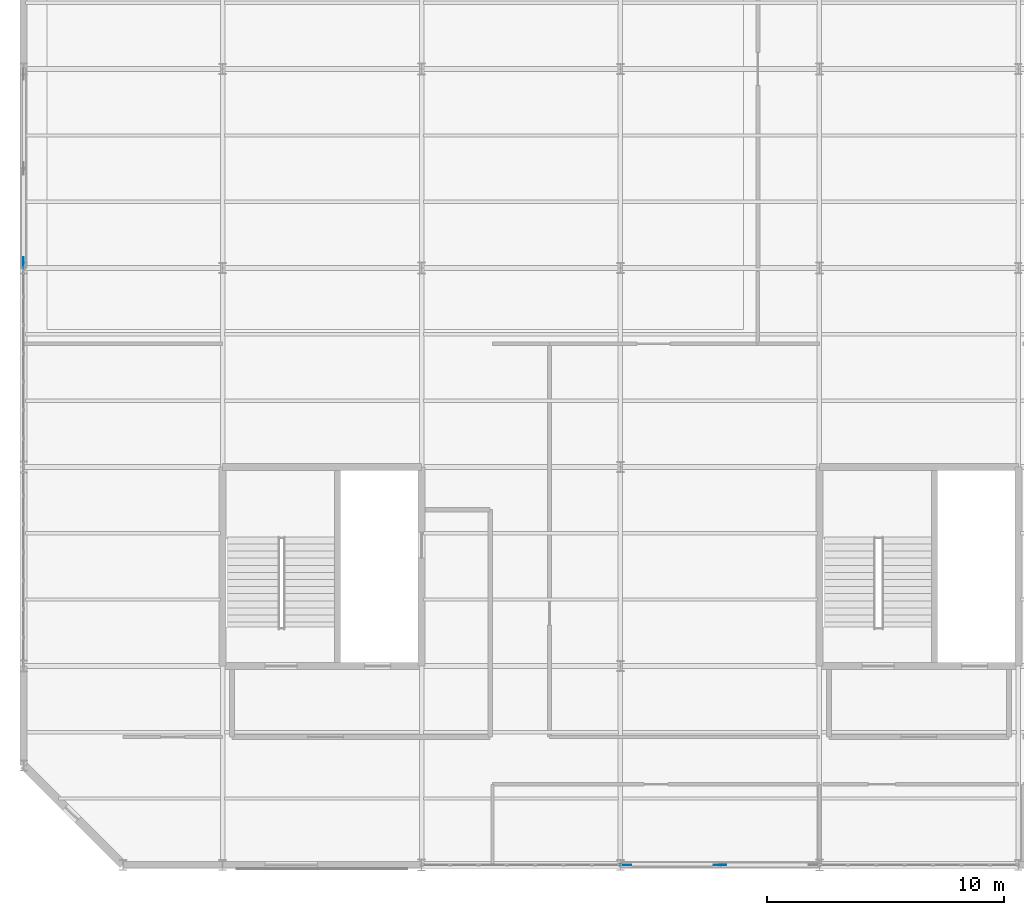
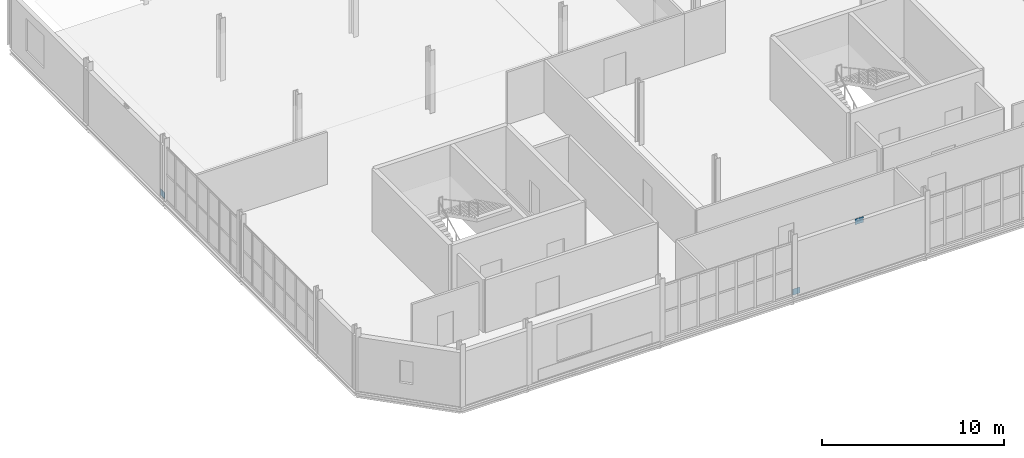
# One storey, part 52 of 69: 3 discrete accessories.
"""IFC4 building model written with IfcOpenShell, lengths in metres."""

from ifc_helpers import new_model, si_unit, direction, frame, origin, origin_2d, place, context, subcontext, project, spatial, rectangle, extrude, material, type_object, element, save


model = new_model("IFC4")

# Units and contexts
model_context = context("Model", 3, precision=1e-05, world=origin(), true_north=direction((0.0, 1.0)))
body_context = subcontext(model_context, "Body", "Model", "MODEL_VIEW")
ifc_project = project(units=[si_unit("LENGTHUNIT", "METRE"), si_unit("AREAUNIT", "SQUARE_METRE"), si_unit("VOLUMEUNIT", "CUBIC_METRE"), si_unit("PLANEANGLEUNIT", "RADIAN"), si_unit("MASSUNIT", "GRAM", prefix="KILO")], contexts=[model_context])

# Site, building, storey
site_placement = place(None, origin())
site = spatial("IfcSite", under=ifc_project, at=site_placement, CompositionType="ELEMENT")
building_placement = place(site_placement, origin())
building = spatial("IfcBuilding", under=site, at=building_placement, Name="Qalvenar Corner Mobility Hub", CompositionType="ELEMENT")
storey_placement = place(building_placement, frame((0.0, 0.0, 13.199951171875)))
storey = spatial("IfcBuildingStorey", under=building, at=storey_placement, Name="L03", CompositionType="ELEMENT", Elevation=13.199951171875)

# Discrete accessories
ifc_material = material(Name="Steel S355", Category="steel")
discrete_accessory_type = type_object("IfcDiscreteAccessoryType", Name="ACC-GUSSET-PLT", PredefinedType="BRACKET", material=ifc_material)
discrete_accessory_placement = place(storey_placement, frame((29.39990234375, 0.0, 3.330078125), z_axis=(0.0, 0.0, 1.0), x_axis=(1.0, 0.0, 0.0)))
element("IfcDiscreteAccessory", 1, at=discrete_accessory_placement, inside=storey, type_object=discrete_accessory_type, Name="Chevron Apex Gusset Plate GP-A-010", PredefinedType="BRACKET", context=body_context, shape_type="SweptSolid", body=[
    extrude(rectangle(XDim=0.52001953125, YDim=0.02490234375, at=origin_2d()), origin(), (0.0, 0.0, 1.0), 0.3798828125),
])
for number, where, z_axis, x_axis, name in (
    (2, (25.419921875, 0.0, 0.0), (0.0, 0.0, 1.0), (1.0, 0.0, 0.0), "Brace Base Gusset Plate GP-B-011"),
    (3, (0.0, 25.419921875, 0.0), (0.0, 0.0, 1.0), (0.0, 1.0, 0.0), "Brace Base Gusset Plate GP-B-026"),
):
    element("IfcDiscreteAccessory", number, at=place(storey_placement, frame(where, z_axis=z_axis, x_axis=x_axis)), inside=storey, type_object=discrete_accessory_type, Name=name, PredefinedType="BRACKET", context=body_context, shape_type="SweptSolid", body=[
        extrude(rectangle(XDim=0.449951171875, YDim=0.02490234375, at=origin_2d()), origin(), (0.0, 0.0, 1.0), 0.39990234375),
    ])

save(model, "model.ifc")
